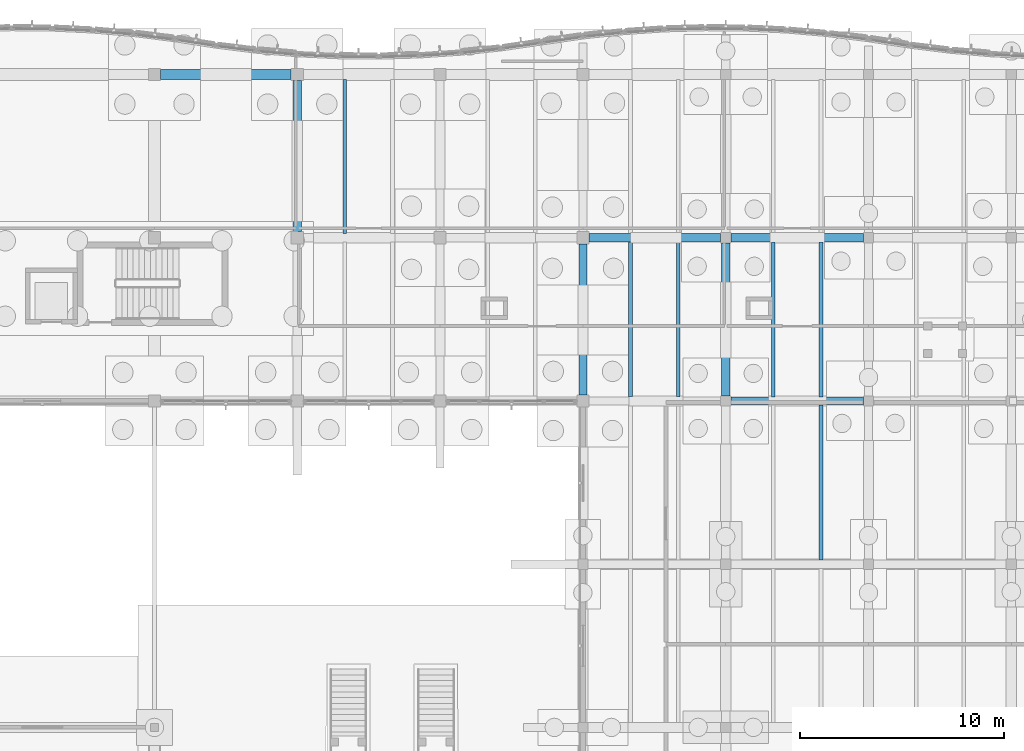
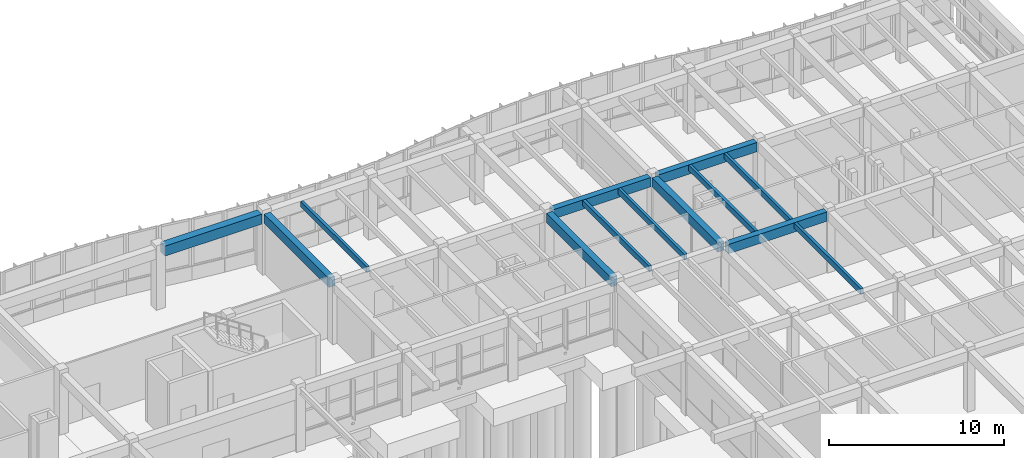
# One storey, part 45 of 99: 13 beams.
"""IFC4 building model written with IfcOpenShell, lengths in metres."""

from ifc_helpers import new_model, si_unit, direction, frame, origin, origin_2d, place, context, subcontext, project, spatial, rectangle, extrude, material, material_profile, profile_set, type_object, element, save


model = new_model("IFC4")

# Units and contexts
model_context = context("Model", 3, precision=1e-05, world=origin(), true_north=direction((0.0, 1.0)))
body_context = subcontext(model_context, "Body", "Model", "MODEL_VIEW")
ifc_project = project(units=[si_unit("LENGTHUNIT", "METRE"), si_unit("AREAUNIT", "SQUARE_METRE"), si_unit("VOLUMEUNIT", "CUBIC_METRE"), si_unit("PLANEANGLEUNIT", "RADIAN"), si_unit("MASSUNIT", "GRAM", prefix="KILO")], contexts=[model_context])

# Site, building, storey
site_placement = place(None, origin())
site = spatial("IfcSite", under=ifc_project, at=site_placement, CompositionType="ELEMENT")
building_placement = place(site_placement, origin())
building = spatial("IfcBuilding", under=site, at=building_placement, Name="Tonlespit Floodbar School", CompositionType="ELEMENT")
storey_placement = place(building_placement, origin())
storey = spatial("IfcBuildingStorey", under=building, at=storey_placement, Name="L00", CompositionType="ELEMENT", Elevation=0.0)

# Beams
ifc_material_1 = material(Name="Concrete C40/50", Category="concrete")
ifc_material_profile_1 = material_profile(ifc_material_1, rectangle(XDim=0.39990234375, YDim=0.64990234375, at=origin_2d()), Name="RC 400x650")
ifc_profile_set_1 = profile_set([ifc_material_profile_1], Name="Concrete C40/50")
beam_type_1 = type_object("IfcBeamType", Name="Beam_RC_400x650", PredefinedType="BEAM", material=ifc_profile_set_1)
beam_1_placement = place(storey_placement, frame((155.25, 104.0, 3.9150390625), z_axis=(1.0, 0.0, 0.0), x_axis=(0.0, 1.0, 0.0)))
element("IfcBeam", 1, at=beam_1_placement, inside=storey, type_object=beam_type_1, Name="L00 girder 0137", PredefinedType="BEAM", context=body_context, shape_type="SweptSolid", body=[
    extrude(rectangle(XDim=0.39990234375, YDim=0.64990234375, at=origin_2d()), origin(), (0.0, 0.0, 1.0), 6.5),
])
beam_2_placement = place(storey_placement, frame((148.300048828125, 112.0, 3.9150390625), z_axis=(1.0, 0.0, 0.0), x_axis=(0.0, 1.0, 0.0)))
element("IfcBeam", 2, at=beam_2_placement, inside=storey, type_object=beam_type_1, Name="L00 girder 0146", PredefinedType="BEAM", context=body_context, shape_type="SweptSolid", body=[
    extrude(rectangle(XDim=0.39990234375, YDim=0.64990234375, at=origin_2d()), origin(), (0.0, 0.0, 1.0), 6.449951171875),
])
beam_3_placement = place(storey_placement, frame((155.25, 112.0, 3.9150390625), z_axis=(1.0, 0.0, 0.0), x_axis=(0.0, 1.0, 0.0)))
element("IfcBeam", 3, at=beam_3_placement, inside=storey, type_object=beam_type_1, Name="L00 girder 0147", PredefinedType="BEAM", context=body_context, shape_type="SweptSolid", body=[
    extrude(rectangle(XDim=0.39990234375, YDim=0.64990234375, at=origin_2d()), origin(), (0.0, 0.0, 1.0), 6.5),
])
for number, where, z_axis, x_axis, name in (
    (4, (134.0, 112.300048828125, 3.9150390625), (0.0, 1.0, 0.0), (-1.0, 0.0, 0.0), "L00 girder 0276"),
    (5, (148.0, 104.300048828125, 3.9150390625), (0.0, 1.0, 0.0), (-1.0, 0.0, 0.0), "L00 girder 0288"),
):
    element("IfcBeam", number, at=place(storey_placement, frame(where, z_axis=z_axis, x_axis=x_axis)), inside=storey, type_object=beam_type_1, Name=name, PredefinedType="BEAM", context=body_context, shape_type="SweptSolid", body=[
        extrude(rectangle(XDim=0.39990234375, YDim=0.64990234375, at=origin_2d()), origin(), (0.0, 0.0, 1.0), 7.39990234375),
    ])
beam_4_placement = place(storey_placement, frame((155.0, 104.25, 3.9150390625), z_axis=(0.0, 1.0, 0.0), x_axis=(-1.0, 0.0, 0.0)))
element("IfcBeam", 6, at=beam_4_placement, inside=storey, type_object=beam_type_1, Name="L00 girder 0296", PredefinedType="BEAM", context=body_context, shape_type="SweptSolid", body=[
    extrude(rectangle(XDim=0.39990234375, YDim=0.64990234375, at=origin_2d()), origin(), (0.0, 0.0, 1.0), 7.5),
])
ifc_material_2 = material(Name="Glulam GL28h", Category="wood")
ifc_material_profile_2 = material_profile(ifc_material_2, rectangle(XDim=0.179931640625, YDim=0.39990234375, at=origin_2d()), Name="GL 180x400")
ifc_profile_set_2 = profile_set([ifc_material_profile_2], Name="Glulam GL28h")
beam_type_2 = type_object("IfcBeamType", Name="Joist_GL_180x400", PredefinedType="JOIST", material=ifc_profile_set_2)
for number, where, z_axis, x_axis, name in (
    (7, (159.666748046875, 96.199951171875, 4.0400390625), (0.0, 1.0, 0.0), (-1.0, 0.0, 0.0), "L00 secondary joist 0499"),
    (8, (150.333251953125, 104.199951171875, 4.0400390625), (0.0, 1.0, 0.0), (-1.0, 0.0, 0.0), "L00 secondary joist 0515"),
    (9, (152.666748046875, 104.199951171875, 4.0400390625), (0.0, 1.0, 0.0), (-1.0, 0.0, 0.0), "L00 secondary joist 0516"),
    (10, (157.333251953125, 104.199951171875, 4.0400390625), (0.0, 1.0, 0.0), (-1.0, 0.0, 0.0), "L00 secondary joist 0517"),
    (11, (159.666748046875, 104.199951171875, 4.0400390625), (0.0, 1.0, 0.0), (-1.0, 0.0, 0.0), "L00 secondary joist 0518"),
):
    element("IfcBeam", number, at=place(storey_placement, frame(where, z_axis=z_axis, x_axis=x_axis)), inside=storey, type_object=beam_type_2, Name=name, PredefinedType="JOIST", context=body_context, shape_type="SweptSolid", body=[
        extrude(rectangle(XDim=0.179931640625, YDim=0.39990234375, at=origin_2d()), origin(), (0.0, 0.0, 1.0), 7.60009765625),
    ])
beam_5_placement = place(storey_placement, frame((136.333251953125, 112.199951171875, 4.0400390625), z_axis=(0.0, 1.0, 0.0), x_axis=(-1.0, 0.0, 0.0)))
element("IfcBeam", 12, at=beam_5_placement, inside=storey, type_object=beam_type_2, Name="L00 secondary joist 0531", PredefinedType="JOIST", context=body_context, shape_type="SweptSolid", body=[
    extrude(rectangle(XDim=0.179931640625, YDim=0.39990234375, at=origin_2d()), origin(), (0.0, 0.0, 1.0), 7.550048828125),
])
ifc_material_profile_3 = material_profile(ifc_material_1, rectangle(XDim=0.5, YDim=0.699951171875, at=origin_2d()), Name="RC 500x700")
ifc_profile_set_3 = profile_set([ifc_material_profile_3], Name="Concrete C40/50")
beam_type_3 = type_object("IfcBeamType", Name="Spandrel_RC_500x700", PredefinedType="SPANDREL", material=ifc_profile_set_3)
beam_6_placement = place(storey_placement, frame((127.300048828125, 120.0, 3.889892578125), z_axis=(1.0, 0.0, 0.0), x_axis=(0.0, 1.0, 0.0)))
element("IfcBeam", 13, at=beam_6_placement, inside=storey, type_object=beam_type_3, Name="L00 girder 0160", PredefinedType="SPANDREL", context=body_context, shape_type="SweptSolid", body=[
    extrude(rectangle(XDim=0.5, YDim=0.699951171875, at=origin_2d()), origin(), (0.0, 0.0, 1.0), 6.39990234375),
])

save(model, "model.ifc")
